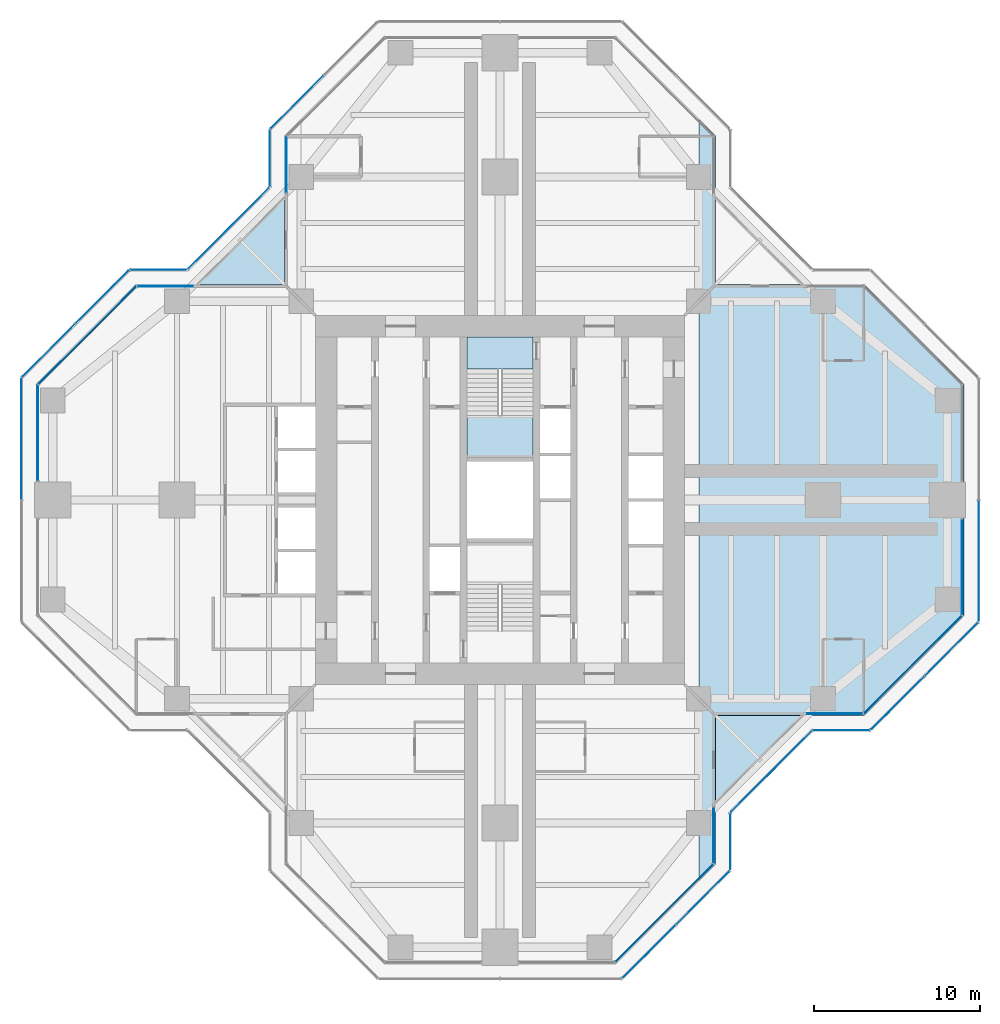
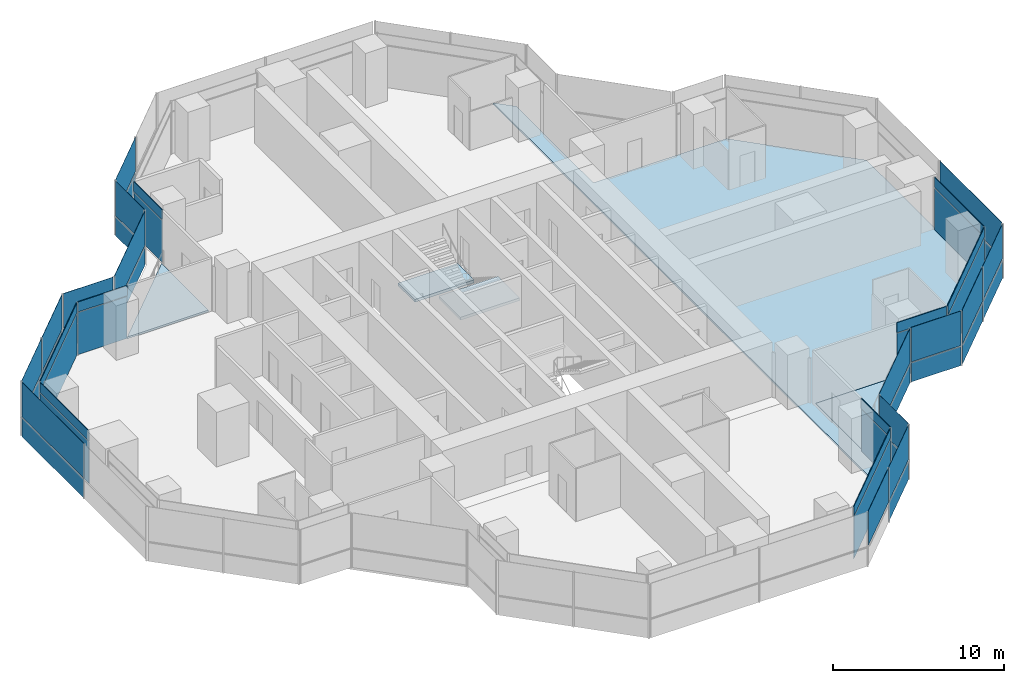
# One storey, part 11 of 17: 47 plates, 5 slabs, 22 elements without a shape of their own.
"""IFC4 building model written with IfcOpenShell, lengths in metres."""

from ifc_helpers import new_model, si_unit, direction, frame, origin, origin_2d, place, context, subcontext, project, spatial, polyline, rectangle, outline, extrude, material, layer, layer_set, type_object, element, aggregate, save


model = new_model("IFC4")

# Units and contexts
model_context = context("Model", 3, precision=1e-05, world=origin(), true_north=direction((0.0, 1.0)))
body_context = subcontext(model_context, "Body", "Model", "MODEL_VIEW")
ifc_project = project(units=[si_unit("LENGTHUNIT", "METRE"), si_unit("AREAUNIT", "SQUARE_METRE"), si_unit("VOLUMEUNIT", "CUBIC_METRE"), si_unit("PLANEANGLEUNIT", "RADIAN"), si_unit("MASSUNIT", "GRAM", prefix="KILO")], contexts=[model_context])

# Site, building, storey
site_placement = place(None, origin())
site = spatial("IfcSite", under=ifc_project, at=site_placement, CompositionType="ELEMENT")
building_placement = place(site_placement, origin())
building = spatial("IfcBuilding", under=site, at=building_placement, Name="Mizan Broadcast Tower", CompositionType="ELEMENT")
storey_placement = place(building_placement, frame((0.0, 0.0, 255.60009765625)))
storey = spatial("IfcBuildingStorey", under=building, at=storey_placement, Name="L60", CompositionType="ELEMENT", Elevation=255.60009765625)

# Slab
ifc_material_1 = material(Name="Concrete C32/40", Category="concrete")
ifc_layer_1 = layer(ifc_material_1, 0.1298828125)
ifc_layer_set_1 = layer_set([ifc_layer_1], Name="Concrete C32/40")
slab_type_1 = type_object("IfcSlabType", Name="COMPOSITE DECK SLAB 130", PredefinedType="FLOOR", material=ifc_layer_set_1)
slab_1_placement = place(storey_placement, frame((0.0, 0.0, -0.130126953125)))
element("IfcSlab", 1, at=slab_1_placement, inside=storey, type_object=slab_type_1, Name="Floor slab L60 east arm", PredefinedType="FLOOR", context=body_context, shape_type="SweptSolid", body=[
    extrude(outline(polyline([(13.0, 22.0), (12.0, 23.0), (12.0, -23.0), (13.0, -22.0), (13.0, -13.0), (22.0, -13.0), (28.0, -7.0), (28.0, 7.0), (22.0, 13.0), (13.0, 13.0), (13.0, 22.0)])), origin(), (0.0, 0.0, 1.0), 0.130126953125),
])

# Curtain wall, plate
ifc_material_2 = material(Name="Aluminium framed glazing", Category="aluminium")
curtain_wall_type_1 = type_object("IfcCurtainWallType", Name="INNER SKIN HIGH ZONE", PredefinedType="USERDEFINED", material=ifc_material_2)
curtain_wall_1_placement = place(storey_placement, origin())
curtain_wall_1 = element("IfcCurtainWall", 2, at=curtain_wall_1_placement, inside=storey, type_object=curtain_wall_type_1, Name="Inner skin high zone L60 E side", ObjectType="INNER SKIN HIGH ZONE", PredefinedType="USERDEFINED")
ifc_material_3 = material(Name="Double glazing, clear low-e", Category="glass")
ifc_layer_2 = layer(ifc_material_3, 0.028076171875)
ifc_layer_set_2 = layer_set([ifc_layer_2], Name="Double glazing, clear low-e")
plate_type_1 = type_object("IfcPlateType", Name="INNER SKIN GLAZING UNIT", PredefinedType="CURTAIN_PANEL", material=ifc_layer_set_2)
plate_1_placement = place(storey_placement, frame((20.229248046875, -12.89990234375, 0.0), z_axis=(0.0, 0.0, 1.0), x_axis=(1.0, 0.0, 0.0)))
plate_1 = element("IfcPlate", 3, at=plate_1_placement, type_object=plate_type_1, Name="Inner skin high zone L60 E side panel 1.1", PredefinedType="CURTAIN_PANEL", context=body_context, shape_type="SweptSolid", body=[
    extrude(rectangle(XDim=3.338623046875, YDim=0.028076171875, at=origin_2d()), origin(), (0.0, 0.0, 1.0), 3.0),
])

curtain_wall_2_placement = place(storey_placement, origin())
curtain_wall_2 = element("IfcCurtainWall", 4, at=curtain_wall_2_placement, inside=storey, type_object=curtain_wall_type_1, Name="Inner skin high zone L60 E chamfer", ObjectType="INNER SKIN HIGH ZONE", PredefinedType="USERDEFINED")
plate_2_placement = place(storey_placement, frame((24.92919921875, -9.92919921875, 0.0), z_axis=(0.0, 0.0, 1.0), x_axis=(0.707106781187, 0.707106781187, 0.0)))
plate_2 = element("IfcPlate", 5, at=plate_2_placement, type_object=plate_type_1, Name="Inner skin high zone L60 E chamfer panel 1.1", PredefinedType="CURTAIN_PANEL", context=body_context, shape_type="SweptSolid", body=[
    extrude(rectangle(XDim=8.282470703125, YDim=0.028076171875, at=origin_2d()), origin(), (0.0, 0.0, 1.0), 3.0),
])

curtain_wall_3_placement = place(storey_placement, origin())
curtain_wall_3 = element("IfcCurtainWall", 6, at=curtain_wall_3_placement, inside=storey, type_object=curtain_wall_type_1, Name="Inner skin high zone L60 E end", ObjectType="INNER SKIN HIGH ZONE", PredefinedType="USERDEFINED")
plate_3_placement = place(storey_placement, frame((27.89990234375, -4.029296875, 0.0), z_axis=(0.0, 0.0, 1.0), x_axis=(0.0, 1.0, 0.0)))
plate_3 = element("IfcPlate", 7, at=plate_3_placement, type_object=plate_type_1, Name="Inner skin high zone L60 E end panel 1.1", PredefinedType="CURTAIN_PANEL", context=body_context, shape_type="SweptSolid", body=[
    extrude(rectangle(XDim=5.738525390625, YDim=0.028076171875, at=origin_2d()), origin(), (0.0, 0.0, 1.0), 3.0),
])

curtain_wall_4_placement = place(storey_placement, origin())
curtain_wall_4 = element("IfcCurtainWall", 8, at=curtain_wall_4_placement, inside=storey, type_object=curtain_wall_type_1, Name="Inner skin high zone L60 N side", ObjectType="INNER SKIN HIGH ZONE", PredefinedType="USERDEFINED")
plate_4_placement = place(storey_placement, frame((-12.89990234375, 20.229248046875, 0.0), z_axis=(0.0, 0.0, 1.0), x_axis=(0.0, -1.0, 0.0)))
plate_4 = element("IfcPlate", 9, at=plate_4_placement, type_object=plate_type_1, Name="Inner skin high zone L60 N side panel 1.1", PredefinedType="CURTAIN_PANEL", context=body_context, shape_type="SweptSolid", body=[
    extrude(rectangle(XDim=3.338623046875, YDim=0.028076171875, at=origin_2d()), origin(), (0.0, 0.0, 1.0), 3.0),
])

curtain_wall_5_placement = place(storey_placement, origin())
curtain_wall_5 = element("IfcCurtainWall", 10, at=curtain_wall_5_placement, inside=storey, type_object=curtain_wall_type_1, Name="Inner skin high zone L60 W side", ObjectType="INNER SKIN HIGH ZONE", PredefinedType="USERDEFINED")
plate_5_placement = place(storey_placement, frame((-20.229248046875, 12.89990234375, 0.0), z_axis=(0.0, 0.0, 1.0), x_axis=(-1.0, 0.0, 0.0)))
plate_5 = element("IfcPlate", 11, at=plate_5_placement, type_object=plate_type_1, Name="Inner skin high zone L60 W side panel 1.1", PredefinedType="CURTAIN_PANEL", context=body_context, shape_type="SweptSolid", body=[
    extrude(rectangle(XDim=3.338623046875, YDim=0.028076171875, at=origin_2d()), origin(), (0.0, 0.0, 1.0), 3.0),
])

curtain_wall_6_placement = place(storey_placement, origin())
curtain_wall_6 = element("IfcCurtainWall", 12, at=curtain_wall_6_placement, inside=storey, type_object=curtain_wall_type_1, Name="Inner skin high zone L60 W chamfer", ObjectType="INNER SKIN HIGH ZONE", PredefinedType="USERDEFINED")
plate_6_placement = place(storey_placement, frame((-24.92919921875, 9.92919921875, 0.0), z_axis=(0.0, 0.0, 1.0), x_axis=(-0.707106781187, -0.707106781187, 0.0)))
plate_6 = element("IfcPlate", 13, at=plate_6_placement, type_object=plate_type_1, Name="Inner skin high zone L60 W chamfer panel 1.1", PredefinedType="CURTAIN_PANEL", context=body_context, shape_type="SweptSolid", body=[
    extrude(rectangle(XDim=8.282470703125, YDim=0.028076171875, at=origin_2d()), origin(), (0.0, 0.0, 1.0), 3.0),
])

curtain_wall_7_placement = place(storey_placement, origin())
curtain_wall_7 = element("IfcCurtainWall", 14, at=curtain_wall_7_placement, inside=storey, type_object=curtain_wall_type_1, Name="Inner skin high zone L60 W end", ObjectType="INNER SKIN HIGH ZONE", PredefinedType="USERDEFINED")
plate_7_placement = place(storey_placement, frame((-27.89990234375, 4.029296875, 0.0), z_axis=(0.0, 0.0, 1.0), x_axis=(0.0, -1.0, 0.0)))
plate_7 = element("IfcPlate", 15, at=plate_7_placement, type_object=plate_type_1, Name="Inner skin high zone L60 W end panel 1.1", PredefinedType="CURTAIN_PANEL", context=body_context, shape_type="SweptSolid", body=[
    extrude(rectangle(XDim=5.738525390625, YDim=0.028076171875, at=origin_2d()), origin(), (0.0, 0.0, 1.0), 3.0),
])

curtain_wall_8_placement = place(storey_placement, origin())
curtain_wall_8 = element("IfcCurtainWall", 16, at=curtain_wall_8_placement, inside=storey, type_object=curtain_wall_type_1, Name="Inner skin high zone L60 S chamfer", ObjectType="INNER SKIN HIGH ZONE", PredefinedType="USERDEFINED")
plate_8_placement = place(storey_placement, frame((9.92919921875, -24.92919921875, 0.0), z_axis=(0.0, 0.0, 1.0), x_axis=(0.707106781187, 0.707106781187, 0.0)))
plate_8 = element("IfcPlate", 17, at=plate_8_placement, type_object=plate_type_1, Name="Inner skin high zone L60 S chamfer panel 1.1", PredefinedType="CURTAIN_PANEL", context=body_context, shape_type="SweptSolid", body=[
    extrude(rectangle(XDim=8.282470703125, YDim=0.028076171875, at=origin_2d()), origin(), (0.0, 0.0, 1.0), 3.0),
])

curtain_wall_9_placement = place(storey_placement, origin())
curtain_wall_9 = element("IfcCurtainWall", 18, at=curtain_wall_9_placement, inside=storey, type_object=curtain_wall_type_1, Name="Inner skin high zone L60 S side", ObjectType="INNER SKIN HIGH ZONE", PredefinedType="USERDEFINED")
plate_9_placement = place(storey_placement, frame((12.89990234375, -20.229248046875, 0.0), z_axis=(0.0, 0.0, 1.0), x_axis=(0.0, 1.0, 0.0)))
plate_9 = element("IfcPlate", 19, at=plate_9_placement, type_object=plate_type_1, Name="Inner skin high zone L60 S side panel 1.1", PredefinedType="CURTAIN_PANEL", context=body_context, shape_type="SweptSolid", body=[
    extrude(rectangle(XDim=3.338623046875, YDim=0.028076171875, at=origin_2d()), origin(), (0.0, 0.0, 1.0), 3.0),
])

# Plate
ifc_material_4 = material(Name="Insulated aluminium spandrel panel, pale anodised", Category="aluminium")
ifc_layer_3 = layer(ifc_material_4, 0.050048828125)
ifc_layer_set_3 = layer_set([ifc_layer_3], Name="Insulated aluminium spandrel panel, pale anodised")
plate_type_2 = type_object("IfcPlateType", Name="INNER SKIN SPANDREL PANEL", PredefinedType="CURTAIN_PANEL", material=ifc_layer_set_3)
plate_10_placement = place(storey_placement, frame((20.229248046875, -12.89990234375, 3.059814453125), z_axis=(0.0, 0.0, 1.0), x_axis=(1.0, 0.0, 0.0)))
plate_10 = element("IfcPlate", 20, at=plate_10_placement, type_object=plate_type_2, Name="Inner skin high zone L60 E side panel 1.2", PredefinedType="CURTAIN_PANEL", context=body_context, shape_type="SweptSolid", body=[
    extrude(rectangle(XDim=3.338623046875, YDim=0.050048828125, at=origin_2d()), origin(), (0.0, 0.0, 1.0), 0.7099609375),
])

aggregate(curtain_wall_1, [plate_1, plate_10])

plate_11_placement = place(storey_placement, frame((24.92919921875, -9.92919921875, 3.059814453125), z_axis=(0.0, 0.0, 1.0), x_axis=(0.707106781187, 0.707106781187, 0.0)))
plate_11 = element("IfcPlate", 21, at=plate_11_placement, type_object=plate_type_2, Name="Inner skin high zone L60 E chamfer panel 1.2", PredefinedType="CURTAIN_PANEL", context=body_context, shape_type="SweptSolid", body=[
    extrude(rectangle(XDim=8.282470703125, YDim=0.050048828125, at=origin_2d()), origin(), (0.0, 0.0, 1.0), 0.7099609375),
])

aggregate(curtain_wall_2, [plate_2, plate_11])

plate_12_placement = place(storey_placement, frame((27.89990234375, -4.029296875, 3.059814453125), z_axis=(0.0, 0.0, 1.0), x_axis=(0.0, 1.0, 0.0)))
plate_12 = element("IfcPlate", 22, at=plate_12_placement, type_object=plate_type_2, Name="Inner skin high zone L60 E end panel 1.2", PredefinedType="CURTAIN_PANEL", context=body_context, shape_type="SweptSolid", body=[
    extrude(rectangle(XDim=5.738525390625, YDim=0.050048828125, at=origin_2d()), origin(), (0.0, 0.0, 1.0), 0.7099609375),
])

aggregate(curtain_wall_3, [plate_3, plate_12])

plate_13_placement = place(storey_placement, frame((-12.89990234375, 20.229248046875, 3.059814453125), z_axis=(0.0, 0.0, 1.0), x_axis=(0.0, -1.0, 0.0)))
plate_13 = element("IfcPlate", 23, at=plate_13_placement, type_object=plate_type_2, Name="Inner skin high zone L60 N side panel 1.2", PredefinedType="CURTAIN_PANEL", context=body_context, shape_type="SweptSolid", body=[
    extrude(rectangle(XDim=3.338623046875, YDim=0.050048828125, at=origin_2d()), origin(), (0.0, 0.0, 1.0), 0.7099609375),
])

aggregate(curtain_wall_4, [plate_4, plate_13])

plate_14_placement = place(storey_placement, frame((-20.229248046875, 12.89990234375, 3.059814453125), z_axis=(0.0, 0.0, 1.0), x_axis=(-1.0, 0.0, 0.0)))
plate_14 = element("IfcPlate", 24, at=plate_14_placement, type_object=plate_type_2, Name="Inner skin high zone L60 W side panel 1.2", PredefinedType="CURTAIN_PANEL", context=body_context, shape_type="SweptSolid", body=[
    extrude(rectangle(XDim=3.338623046875, YDim=0.050048828125, at=origin_2d()), origin(), (0.0, 0.0, 1.0), 0.7099609375),
])

aggregate(curtain_wall_5, [plate_5, plate_14])

plate_15_placement = place(storey_placement, frame((-24.92919921875, 9.92919921875, 3.059814453125), z_axis=(0.0, 0.0, 1.0), x_axis=(-0.707106781187, -0.707106781187, 0.0)))
plate_15 = element("IfcPlate", 25, at=plate_15_placement, type_object=plate_type_2, Name="Inner skin high zone L60 W chamfer panel 1.2", PredefinedType="CURTAIN_PANEL", context=body_context, shape_type="SweptSolid", body=[
    extrude(rectangle(XDim=8.282470703125, YDim=0.050048828125, at=origin_2d()), origin(), (0.0, 0.0, 1.0), 0.7099609375),
])

aggregate(curtain_wall_6, [plate_6, plate_15])

plate_16_placement = place(storey_placement, frame((-27.89990234375, 4.029296875, 3.059814453125), z_axis=(0.0, 0.0, 1.0), x_axis=(0.0, -1.0, 0.0)))
plate_16 = element("IfcPlate", 26, at=plate_16_placement, type_object=plate_type_2, Name="Inner skin high zone L60 W end panel 1.2", PredefinedType="CURTAIN_PANEL", context=body_context, shape_type="SweptSolid", body=[
    extrude(rectangle(XDim=5.738525390625, YDim=0.050048828125, at=origin_2d()), origin(), (0.0, 0.0, 1.0), 0.7099609375),
])

aggregate(curtain_wall_7, [plate_7, plate_16])

plate_17_placement = place(storey_placement, frame((9.92919921875, -24.92919921875, 3.059814453125), z_axis=(0.0, 0.0, 1.0), x_axis=(0.707106781187, 0.707106781187, 0.0)))
plate_17 = element("IfcPlate", 27, at=plate_17_placement, type_object=plate_type_2, Name="Inner skin high zone L60 S chamfer panel 1.2", PredefinedType="CURTAIN_PANEL", context=body_context, shape_type="SweptSolid", body=[
    extrude(rectangle(XDim=8.282470703125, YDim=0.050048828125, at=origin_2d()), origin(), (0.0, 0.0, 1.0), 0.7099609375),
])

aggregate(curtain_wall_8, [plate_8, plate_17])

plate_18_placement = place(storey_placement, frame((12.89990234375, -20.229248046875, 3.059814453125), z_axis=(0.0, 0.0, 1.0), x_axis=(0.0, 1.0, 0.0)))
plate_18 = element("IfcPlate", 28, at=plate_18_placement, type_object=plate_type_2, Name="Inner skin high zone L60 S side panel 1.2", PredefinedType="CURTAIN_PANEL", context=body_context, shape_type="SweptSolid", body=[
    extrude(rectangle(XDim=3.338623046875, YDim=0.050048828125, at=origin_2d()), origin(), (0.0, 0.0, 1.0), 0.7099609375),
])

aggregate(curtain_wall_9, [plate_9, plate_18])

# Curtain wall, plates
ifc_material_5 = material(Name="Aluminium framed glazing", Category="aluminium")
curtain_wall_type_2 = type_object("IfcCurtainWallType", Name="OUTER SKIN", PredefinedType="USERDEFINED", material=ifc_material_5)
curtain_wall_10_placement = place(storey_placement, origin())
curtain_wall_10 = element("IfcCurtainWall", 29, at=curtain_wall_10_placement, inside=storey, type_object=curtain_wall_type_2, Name="Outer skin L60 E chamfer", ObjectType="OUTER SKIN", PredefinedType="USERDEFINED")
ifc_material_6 = material(Name="Laminated clear glass", Category="glass")
ifc_layer_4 = layer(ifc_material_6, 0.02001953125)
ifc_layer_set_4 = layer_set([ifc_layer_4], Name="Laminated clear glass")
plate_type_3 = type_object("IfcPlateType", Name="OUTER SKIN CLEAR GLASS", PredefinedType="CURTAIN_PANEL", material=ifc_layer_set_4)
plate_19_placement = place(storey_placement, frame((24.018798828125, -12.254150390625, -0.000244140625), z_axis=(0.0, 0.0, 1.0), x_axis=(0.707106781187, 0.707106781187, 0.0)))
plate_19 = element("IfcPlate", 30, at=plate_19_placement, type_object=plate_type_3, Name="Outer skin L60 E chamfer panel 1.1", PredefinedType="CURTAIN_PANEL", context=body_context, shape_type="SweptSolid", body=[
    extrude(rectangle(XDim=4.495361328125, YDim=0.02001953125, at=origin_2d()), origin(), (0.0, 0.0, 1.0), 1.3701171875),
])
plate_20_placement = place(storey_placement, frame((24.018798828125, -12.254150390625, 1.4296875), z_axis=(0.0, 0.0, 1.0), x_axis=(0.707106781187, 0.707106781187, 0.0)))
plate_20 = element("IfcPlate", 31, at=plate_20_placement, type_object=plate_type_3, Name="Outer skin L60 E chamfer panel 1.2", PredefinedType="CURTAIN_PANEL", context=body_context, shape_type="SweptSolid", body=[
    extrude(rectangle(XDim=4.495361328125, YDim=0.02001953125, at=origin_2d()), origin(), (0.0, 0.0, 1.0), 2.469970703125),
])

curtain_wall_11_placement = place(storey_placement, origin())
curtain_wall_11 = element("IfcCurtainWall", 32, at=curtain_wall_11_placement, inside=storey, type_object=curtain_wall_type_2, Name="Outer skin L60 E end", ObjectType="OUTER SKIN", PredefinedType="USERDEFINED")
plate_21_placement = place(storey_placement, frame((28.89990234375, -3.66650390625, -0.000244140625), z_axis=(0.0, 0.0, 1.0), x_axis=(0.0, 1.0, 0.0)))
plate_21 = element("IfcPlate", 33, at=plate_21_placement, type_object=plate_type_3, Name="Outer skin L60 E end panel 1.1", PredefinedType="CURTAIN_PANEL", context=body_context, shape_type="SweptSolid", body=[
    extrude(rectangle(XDim=7.252685546875, YDim=0.02001953125, at=origin_2d()), origin(), (0.0, 0.0, 1.0), 1.3701171875),
])
plate_22_placement = place(storey_placement, frame((28.89990234375, -3.66650390625, 1.4296875), z_axis=(0.0, 0.0, 1.0), x_axis=(0.0, 1.0, 0.0)))
plate_22 = element("IfcPlate", 34, at=plate_22_placement, type_object=plate_type_3, Name="Outer skin L60 E end panel 1.2", PredefinedType="CURTAIN_PANEL", context=body_context, shape_type="SweptSolid", body=[
    extrude(rectangle(XDim=7.252685546875, YDim=0.02001953125, at=origin_2d()), origin(), (0.0, 0.0, 1.0), 2.469970703125),
])
aggregate(curtain_wall_11, [plate_21, plate_22])

curtain_wall_12_placement = place(storey_placement, origin())
curtain_wall_12 = element("IfcCurtainWall", 35, at=curtain_wall_12_placement, inside=storey, type_object=curtain_wall_type_2, Name="Outer skin L60 N side", ObjectType="OUTER SKIN", PredefinedType="USERDEFINED")
plate_23_placement = place(storey_placement, frame((-13.89990234375, 20.622802734375, -0.000244140625), z_axis=(0.0, 0.0, 1.0), x_axis=(0.0, -1.0, 0.0)))
plate_23 = element("IfcPlate", 36, at=plate_23_placement, type_object=plate_type_3, Name="Outer skin L60 N side panel 1.1", PredefinedType="CURTAIN_PANEL", context=body_context, shape_type="SweptSolid", body=[
    extrude(rectangle(XDim=3.340087890625, YDim=0.02001953125, at=origin_2d()), origin(), (0.0, 0.0, 1.0), 1.3701171875),
])
plate_24_placement = place(storey_placement, frame((-13.89990234375, 20.622802734375, 1.4296875), z_axis=(0.0, 0.0, 1.0), x_axis=(0.0, -1.0, 0.0)))
plate_24 = element("IfcPlate", 37, at=plate_24_placement, type_object=plate_type_3, Name="Outer skin L60 N side panel 1.2", PredefinedType="CURTAIN_PANEL", context=body_context, shape_type="SweptSolid", body=[
    extrude(rectangle(XDim=3.340087890625, YDim=0.02001953125, at=origin_2d()), origin(), (0.0, 0.0, 1.0), 2.469970703125),
])
aggregate(curtain_wall_12, [plate_23, plate_24])

curtain_wall_13_placement = place(storey_placement, origin())
curtain_wall_13 = element("IfcCurtainWall", 38, at=curtain_wall_13_placement, inside=storey, type_object=curtain_wall_type_2, Name="Outer skin L60 W chamfer", ObjectType="OUTER SKIN", PredefinedType="USERDEFINED")
plate_25_placement = place(storey_placement, frame((-16.386474609375, 16.386474609375, -0.000244140625), z_axis=(0.0, 0.0, 1.0), x_axis=(-0.707106781187, -0.707106781187, 0.0)))
plate_25 = element("IfcPlate", 39, at=plate_25_placement, type_object=plate_type_3, Name="Outer skin L60 W chamfer panel 1.1", PredefinedType="CURTAIN_PANEL", context=body_context, shape_type="SweptSolid", body=[
    extrude(rectangle(XDim=6.87255859375, YDim=0.02001953125, at=origin_2d()), origin(), (0.0, 0.0, 1.0), 1.3701171875),
])
plate_26_placement = place(storey_placement, frame((-16.386474609375, 16.386474609375, 1.4296875), z_axis=(0.0, 0.0, 1.0), x_axis=(-0.707106781187, -0.707106781187, 0.0)))
plate_26 = element("IfcPlate", 40, at=plate_26_placement, type_object=plate_type_3, Name="Outer skin L60 W chamfer panel 1.2", PredefinedType="CURTAIN_PANEL", context=body_context, shape_type="SweptSolid", body=[
    extrude(rectangle(XDim=6.87255859375, YDim=0.02001953125, at=origin_2d()), origin(), (0.0, 0.0, 1.0), 2.469970703125),
])
aggregate(curtain_wall_13, [plate_25, plate_26])

curtain_wall_14_placement = place(storey_placement, origin())
curtain_wall_14 = element("IfcCurtainWall", 41, at=curtain_wall_14_placement, inside=storey, type_object=curtain_wall_type_2, Name="Outer skin L60 W side", ObjectType="OUTER SKIN", PredefinedType="USERDEFINED")
plate_27_placement = place(storey_placement, frame((-20.622802734375, 13.89990234375, -0.000244140625), z_axis=(0.0, 0.0, 1.0), x_axis=(-1.0, 0.0, 0.0)))
plate_27 = element("IfcPlate", 42, at=plate_27_placement, type_object=plate_type_3, Name="Outer skin L60 W side panel 1.1", PredefinedType="CURTAIN_PANEL", context=body_context, shape_type="SweptSolid", body=[
    extrude(rectangle(XDim=3.340087890625, YDim=0.02001953125, at=origin_2d()), origin(), (0.0, 0.0, 1.0), 1.3701171875),
])
plate_28_placement = place(storey_placement, frame((-20.622802734375, 13.89990234375, 1.4296875), z_axis=(0.0, 0.0, 1.0), x_axis=(-1.0, 0.0, 0.0)))
plate_28 = element("IfcPlate", 43, at=plate_28_placement, type_object=plate_type_3, Name="Outer skin L60 W side panel 1.2", PredefinedType="CURTAIN_PANEL", context=body_context, shape_type="SweptSolid", body=[
    extrude(rectangle(XDim=3.340087890625, YDim=0.02001953125, at=origin_2d()), origin(), (0.0, 0.0, 1.0), 2.469970703125),
])
aggregate(curtain_wall_14, [plate_27, plate_28])

curtain_wall_15_placement = place(storey_placement, origin())
curtain_wall_15 = element("IfcCurtainWall", 44, at=curtain_wall_15_placement, inside=storey, type_object=curtain_wall_type_2, Name="Outer skin L60 W chamfer", ObjectType="OUTER SKIN", PredefinedType="USERDEFINED")
plate_29_placement = place(storey_placement, frame((-24.018798828125, 12.254150390625, -0.000244140625), z_axis=(0.0, 0.0, 1.0), x_axis=(-0.707106781187, -0.707106781187, 0.0)))
plate_29 = element("IfcPlate", 45, at=plate_29_placement, type_object=plate_type_3, Name="Outer skin L60 W chamfer panel 1.1", PredefinedType="CURTAIN_PANEL", context=body_context, shape_type="SweptSolid", body=[
    extrude(rectangle(XDim=4.495361328125, YDim=0.02001953125, at=origin_2d()), origin(), (0.0, 0.0, 1.0), 1.3701171875),
])
plate_30_placement = place(storey_placement, frame((-24.018798828125, 12.254150390625, 1.4296875), z_axis=(0.0, 0.0, 1.0), x_axis=(-0.707106781187, -0.707106781187, 0.0)))
plate_30 = element("IfcPlate", 46, at=plate_30_placement, type_object=plate_type_3, Name="Outer skin L60 W chamfer panel 1.2", PredefinedType="CURTAIN_PANEL", context=body_context, shape_type="SweptSolid", body=[
    extrude(rectangle(XDim=4.495361328125, YDim=0.02001953125, at=origin_2d()), origin(), (0.0, 0.0, 1.0), 2.469970703125),
])

curtain_wall_16_placement = place(storey_placement, origin())
curtain_wall_16 = element("IfcCurtainWall", 47, at=curtain_wall_16_placement, inside=storey, type_object=curtain_wall_type_2, Name="Outer skin L60 W end", ObjectType="OUTER SKIN", PredefinedType="USERDEFINED")
plate_31_placement = place(storey_placement, frame((-28.89990234375, 3.66650390625, -0.000244140625), z_axis=(0.0, 0.0, 1.0), x_axis=(0.0, -1.0, 0.0)))
plate_31 = element("IfcPlate", 48, at=plate_31_placement, type_object=plate_type_3, Name="Outer skin L60 W end panel 1.1", PredefinedType="CURTAIN_PANEL", context=body_context, shape_type="SweptSolid", body=[
    extrude(rectangle(XDim=7.252685546875, YDim=0.02001953125, at=origin_2d()), origin(), (0.0, 0.0, 1.0), 1.3701171875),
])
plate_32_placement = place(storey_placement, frame((-28.89990234375, 3.66650390625, 1.4296875), z_axis=(0.0, 0.0, 1.0), x_axis=(0.0, -1.0, 0.0)))
plate_32 = element("IfcPlate", 49, at=plate_32_placement, type_object=plate_type_3, Name="Outer skin L60 W end panel 1.2", PredefinedType="CURTAIN_PANEL", context=body_context, shape_type="SweptSolid", body=[
    extrude(rectangle(XDim=7.252685546875, YDim=0.02001953125, at=origin_2d()), origin(), (0.0, 0.0, 1.0), 2.469970703125),
])
aggregate(curtain_wall_16, [plate_31, plate_32])

# Curtain wall, plate
curtain_wall_17_placement = place(storey_placement, origin())
curtain_wall_17 = element("IfcCurtainWall", 50, at=curtain_wall_17_placement, inside=storey, type_object=curtain_wall_type_2, Name="Outer skin L60 S chamfer", ObjectType="OUTER SKIN", PredefinedType="USERDEFINED")
plate_33_placement = place(storey_placement, frame((9.018798828125, -27.254150390625, 1.4296875), z_axis=(0.0, 0.0, 1.0), x_axis=(0.707106781187, 0.707106781187, 0.0)))
plate_33 = element("IfcPlate", 51, at=plate_33_placement, type_object=plate_type_3, Name="Outer skin L60 S chamfer panel 1.2", PredefinedType="CURTAIN_PANEL", context=body_context, shape_type="SweptSolid", body=[
    extrude(rectangle(XDim=4.495361328125, YDim=0.02001953125, at=origin_2d()), origin(), (0.0, 0.0, 1.0), 2.469970703125),
])

# Curtain wall, plates
curtain_wall_18_placement = place(storey_placement, origin())
curtain_wall_18 = element("IfcCurtainWall", 52, at=curtain_wall_18_placement, inside=storey, type_object=curtain_wall_type_2, Name="Outer skin L60 S side", ObjectType="OUTER SKIN", PredefinedType="USERDEFINED")
plate_34_placement = place(storey_placement, frame((13.89990234375, -20.622802734375, -0.000244140625), z_axis=(0.0, 0.0, 1.0), x_axis=(0.0, 1.0, 0.0)))
plate_34 = element("IfcPlate", 53, at=plate_34_placement, type_object=plate_type_3, Name="Outer skin L60 S side panel 1.1", PredefinedType="CURTAIN_PANEL", context=body_context, shape_type="SweptSolid", body=[
    extrude(rectangle(XDim=3.340087890625, YDim=0.02001953125, at=origin_2d()), origin(), (0.0, 0.0, 1.0), 1.3701171875),
])
plate_35_placement = place(storey_placement, frame((13.89990234375, -20.622802734375, 1.4296875), z_axis=(0.0, 0.0, 1.0), x_axis=(0.0, 1.0, 0.0)))
plate_35 = element("IfcPlate", 54, at=plate_35_placement, type_object=plate_type_3, Name="Outer skin L60 S side panel 1.2", PredefinedType="CURTAIN_PANEL", context=body_context, shape_type="SweptSolid", body=[
    extrude(rectangle(XDim=3.340087890625, YDim=0.02001953125, at=origin_2d()), origin(), (0.0, 0.0, 1.0), 2.469970703125),
])
aggregate(curtain_wall_18, [plate_34, plate_35])

curtain_wall_19_placement = place(storey_placement, origin())
curtain_wall_19 = element("IfcCurtainWall", 55, at=curtain_wall_19_placement, inside=storey, type_object=curtain_wall_type_2, Name="Outer skin L60 E chamfer", ObjectType="OUTER SKIN", PredefinedType="USERDEFINED")
plate_36_placement = place(storey_placement, frame((16.386474609375, -16.386474609375, -0.000244140625), z_axis=(0.0, 0.0, 1.0), x_axis=(0.707106781187, 0.707106781187, 0.0)))
plate_36 = element("IfcPlate", 56, at=plate_36_placement, type_object=plate_type_3, Name="Outer skin L60 E chamfer panel 1.1", PredefinedType="CURTAIN_PANEL", context=body_context, shape_type="SweptSolid", body=[
    extrude(rectangle(XDim=6.87255859375, YDim=0.02001953125, at=origin_2d()), origin(), (0.0, 0.0, 1.0), 1.3701171875),
])
plate_37_placement = place(storey_placement, frame((16.386474609375, -16.386474609375, 1.4296875), z_axis=(0.0, 0.0, 1.0), x_axis=(0.707106781187, 0.707106781187, 0.0)))
plate_37 = element("IfcPlate", 57, at=plate_37_placement, type_object=plate_type_3, Name="Outer skin L60 E chamfer panel 1.2", PredefinedType="CURTAIN_PANEL", context=body_context, shape_type="SweptSolid", body=[
    extrude(rectangle(XDim=6.87255859375, YDim=0.02001953125, at=origin_2d()), origin(), (0.0, 0.0, 1.0), 2.469970703125),
])
aggregate(curtain_wall_19, [plate_36, plate_37])

curtain_wall_20_placement = place(storey_placement, origin())
curtain_wall_20 = element("IfcCurtainWall", 58, at=curtain_wall_20_placement, inside=storey, type_object=curtain_wall_type_2, Name="Outer skin L60 E side", ObjectType="OUTER SKIN", PredefinedType="USERDEFINED")
plate_38_placement = place(storey_placement, frame((20.622802734375, -13.89990234375, -0.000244140625), z_axis=(0.0, 0.0, 1.0), x_axis=(1.0, 0.0, 0.0)))
plate_38 = element("IfcPlate", 59, at=plate_38_placement, type_object=plate_type_3, Name="Outer skin L60 E side panel 1.1", PredefinedType="CURTAIN_PANEL", context=body_context, shape_type="SweptSolid", body=[
    extrude(rectangle(XDim=3.340087890625, YDim=0.02001953125, at=origin_2d()), origin(), (0.0, 0.0, 1.0), 1.3701171875),
])
plate_39_placement = place(storey_placement, frame((20.622802734375, -13.89990234375, 1.4296875), z_axis=(0.0, 0.0, 1.0), x_axis=(1.0, 0.0, 0.0)))
plate_39 = element("IfcPlate", 60, at=plate_39_placement, type_object=plate_type_3, Name="Outer skin L60 E side panel 1.2", PredefinedType="CURTAIN_PANEL", context=body_context, shape_type="SweptSolid", body=[
    extrude(rectangle(XDim=3.340087890625, YDim=0.02001953125, at=origin_2d()), origin(), (0.0, 0.0, 1.0), 2.469970703125),
])
aggregate(curtain_wall_20, [plate_38, plate_39])

# Plate
ifc_material_7 = material(Name="Perforated aluminium, pale anodised", Category="aluminium")
ifc_layer_5 = layer(ifc_material_7, 0.011962890625)
ifc_layer_set_5 = layer_set([ifc_layer_5], Name="Perforated aluminium, pale anodised")
plate_type_4 = type_object("IfcPlateType", Name="OUTER SKIN PERFORATED SCREEN", PredefinedType="USERDEFINED", material=ifc_layer_set_5)
plate_40_placement = place(storey_placement, frame((27.254150390625, -9.018798828125, -0.000244140625), z_axis=(0.0, 0.0, 1.0), x_axis=(0.707106781187, 0.707106781187, 0.0)))
plate_40 = element("IfcPlate", 61, at=plate_40_placement, type_object=plate_type_4, Name="Outer skin L60 E chamfer panel 2.1", ObjectType="SCREEN", PredefinedType="USERDEFINED", context=body_context, shape_type="SweptSolid", body=[
    extrude(rectangle(XDim=4.495361328125, YDim=0.011962890625, at=origin_2d()), origin(), (0.0, 0.0, 1.0), 1.3701171875),
])

plate_41_placement = place(storey_placement, frame((27.254150390625, -9.018798828125, 1.4296875), z_axis=(0.0, 0.0, 1.0), x_axis=(0.707106781187, 0.707106781187, 0.0)))
plate_41 = element("IfcPlate", 62, at=plate_41_placement, type_object=plate_type_4, Name="Outer skin L60 E chamfer panel 2.2", ObjectType="SCREEN", PredefinedType="USERDEFINED", context=body_context, shape_type="SweptSolid", body=[
    extrude(rectangle(XDim=4.495361328125, YDim=0.011962890625, at=origin_2d()), origin(), (0.0, 0.0, 1.0), 2.469970703125),
])

aggregate(curtain_wall_10, [plate_19, plate_20, plate_40, plate_41])

# Curtain wall, plates
curtain_wall_21_placement = place(storey_placement, origin())
curtain_wall_21 = element("IfcCurtainWall", 63, at=curtain_wall_21_placement, inside=storey, type_object=curtain_wall_type_2, Name="Outer skin L60 N chamfer", ObjectType="OUTER SKIN", PredefinedType="USERDEFINED")
plate_42_placement = place(storey_placement, frame((-12.254150390625, 24.018798828125, -0.000244140625), z_axis=(0.0, 0.0, 1.0), x_axis=(-0.707106781187, -0.707106781187, 0.0)))
plate_42 = element("IfcPlate", 64, at=plate_42_placement, type_object=plate_type_4, Name="Outer skin L60 N chamfer panel 2.1", ObjectType="SCREEN", PredefinedType="USERDEFINED", context=body_context, shape_type="SweptSolid", body=[
    extrude(rectangle(XDim=4.495361328125, YDim=0.011962890625, at=origin_2d()), origin(), (0.0, 0.0, 1.0), 1.3701171875),
])
plate_43_placement = place(storey_placement, frame((-12.254150390625, 24.018798828125, 1.4296875), z_axis=(0.0, 0.0, 1.0), x_axis=(-0.707106781187, -0.707106781187, 0.0)))
plate_43 = element("IfcPlate", 65, at=plate_43_placement, type_object=plate_type_4, Name="Outer skin L60 N chamfer panel 2.2", ObjectType="SCREEN", PredefinedType="USERDEFINED", context=body_context, shape_type="SweptSolid", body=[
    extrude(rectangle(XDim=4.495361328125, YDim=0.011962890625, at=origin_2d()), origin(), (0.0, 0.0, 1.0), 2.469970703125),
])
aggregate(curtain_wall_21, [plate_42, plate_43])

# Plate
plate_44_placement = place(storey_placement, frame((-27.254150390625, 9.018798828125, -0.000244140625), z_axis=(0.0, 0.0, 1.0), x_axis=(-0.707106781187, -0.707106781187, 0.0)))
plate_44 = element("IfcPlate", 66, at=plate_44_placement, type_object=plate_type_4, Name="Outer skin L60 W chamfer panel 2.1", ObjectType="SCREEN", PredefinedType="USERDEFINED", context=body_context, shape_type="SweptSolid", body=[
    extrude(rectangle(XDim=4.495361328125, YDim=0.011962890625, at=origin_2d()), origin(), (0.0, 0.0, 1.0), 1.3701171875),
])

plate_45_placement = place(storey_placement, frame((-27.254150390625, 9.018798828125, 1.4296875), z_axis=(0.0, 0.0, 1.0), x_axis=(-0.707106781187, -0.707106781187, 0.0)))
plate_45 = element("IfcPlate", 67, at=plate_45_placement, type_object=plate_type_4, Name="Outer skin L60 W chamfer panel 2.2", ObjectType="SCREEN", PredefinedType="USERDEFINED", context=body_context, shape_type="SweptSolid", body=[
    extrude(rectangle(XDim=4.495361328125, YDim=0.011962890625, at=origin_2d()), origin(), (0.0, 0.0, 1.0), 2.469970703125),
])

aggregate(curtain_wall_15, [plate_29, plate_30, plate_44, plate_45])

plate_46_placement = place(storey_placement, frame((12.254150390625, -24.018798828125, -0.000244140625), z_axis=(0.0, 0.0, 1.0), x_axis=(0.707106781187, 0.707106781187, 0.0)))
plate_46 = element("IfcPlate", 68, at=plate_46_placement, type_object=plate_type_4, Name="Outer skin L60 S chamfer panel 2.1", ObjectType="SCREEN", PredefinedType="USERDEFINED", context=body_context, shape_type="SweptSolid", body=[
    extrude(rectangle(XDim=4.495361328125, YDim=0.011962890625, at=origin_2d()), origin(), (0.0, 0.0, 1.0), 1.3701171875),
])

plate_47_placement = place(storey_placement, frame((12.254150390625, -24.018798828125, 1.4296875), z_axis=(0.0, 0.0, 1.0), x_axis=(0.707106781187, 0.707106781187, 0.0)))
plate_47 = element("IfcPlate", 69, at=plate_47_placement, type_object=plate_type_4, Name="Outer skin L60 S chamfer panel 2.2", ObjectType="SCREEN", PredefinedType="USERDEFINED", context=body_context, shape_type="SweptSolid", body=[
    extrude(rectangle(XDim=4.495361328125, YDim=0.011962890625, at=origin_2d()), origin(), (0.0, 0.0, 1.0), 2.469970703125),
])

aggregate(curtain_wall_17, [plate_33, plate_46, plate_47])

# Stair, slabs
ifc_material_8 = material(Name="Concrete C40/50", Category="concrete")
stair_type = type_object("IfcStairType", Name="EXIT STAIR", PredefinedType="HALF_TURN_STAIR", material=ifc_material_8)
stair_placement = place(storey_placement, origin())
stair = element("IfcStair", 70, at=stair_placement, inside=storey, type_object=stair_type, Name="Stair B L60", PredefinedType="HALF_TURN_STAIR")
ifc_material_9 = material(Name="Concrete C40/50", Category="concrete")
ifc_layer_6 = layer(ifc_material_9, 0.199951171875)
ifc_layer_set_6 = layer_set([ifc_layer_6], Name="Concrete C40/50")
slab_type_2 = type_object("IfcSlabType", Name="STAIR LANDING 200", PredefinedType="LANDING", material=ifc_layer_set_6)
slab_2_placement = place(storey_placement, frame((0.0, 0.0, -0.2001953125)))
slab_2 = element("IfcSlab", 71, at=slab_2_placement, type_object=slab_type_2, Name="B landing 1", PredefinedType="LANDING", context=body_context, shape_type="SweptSolid", body=[
    extrude(outline(polyline([(2.0, 9.85009765625), (2.0, 7.89990234375), (-2.0, 7.89990234375), (-2.0, 9.85009765625), (2.0, 9.85009765625)])), origin(), (0.0, 0.0, 1.0), 0.2001953125),
])
slab_3_placement = place(storey_placement, frame((0.0, 0.0, 1.75)))
slab_3 = element("IfcSlab", 72, at=slab_3_placement, type_object=slab_type_2, Name="B landing 2", PredefinedType="LANDING", context=body_context, shape_type="SweptSolid", body=[
    extrude(outline(polyline([(2.0, 5.10009765625), (2.0, 2.574951171875), (-2.0, 2.574951171875), (-2.0, 5.10009765625), (2.0, 5.10009765625)])), origin(), (0.0, 0.0, 1.0), 0.199951171875),
])
aggregate(stair, [slab_2, slab_3])

# Slabs
ifc_material_10 = material(Name="Concrete C32/40", Category="concrete")
ifc_layer_7 = layer(ifc_material_10, 0.1298828125)
ifc_layer_set_7 = layer_set([ifc_layer_7], Name="Concrete C32/40")
slab_type_3 = type_object("IfcSlabType", Name="WINTER GARDEN SLAB 130", PredefinedType="FLOOR", material=ifc_layer_set_7)
slab_4_placement = place(storey_placement, frame((0.0, 0.0, -0.130126953125)))
element("IfcSlab", 73, at=slab_4_placement, inside=storey, type_object=slab_type_3, Name="Winter garden slab L60 N", PredefinedType="FLOOR", context=body_context, shape_type="SweptSolid", body=[
    extrude(outline(polyline([(-13.0, 13.0), (-13.0, 18.5), (-18.5, 13.0), (-13.0, 13.0)])), origin(), (0.0, 0.0, 1.0), 0.130126953125),
])
slab_5_placement = place(storey_placement, frame((0.0, 0.0, -0.130126953125)))
element("IfcSlab", 74, at=slab_5_placement, inside=storey, type_object=slab_type_3, Name="Winter garden slab L60 S", PredefinedType="FLOOR", context=body_context, shape_type="SweptSolid", body=[
    extrude(outline(polyline([(13.0, -13.0), (13.0, -18.5), (18.5, -13.0), (13.0, -13.0)])), origin(), (0.0, 0.0, 1.0), 0.130126953125),
])

save(model, "model.ifc")
